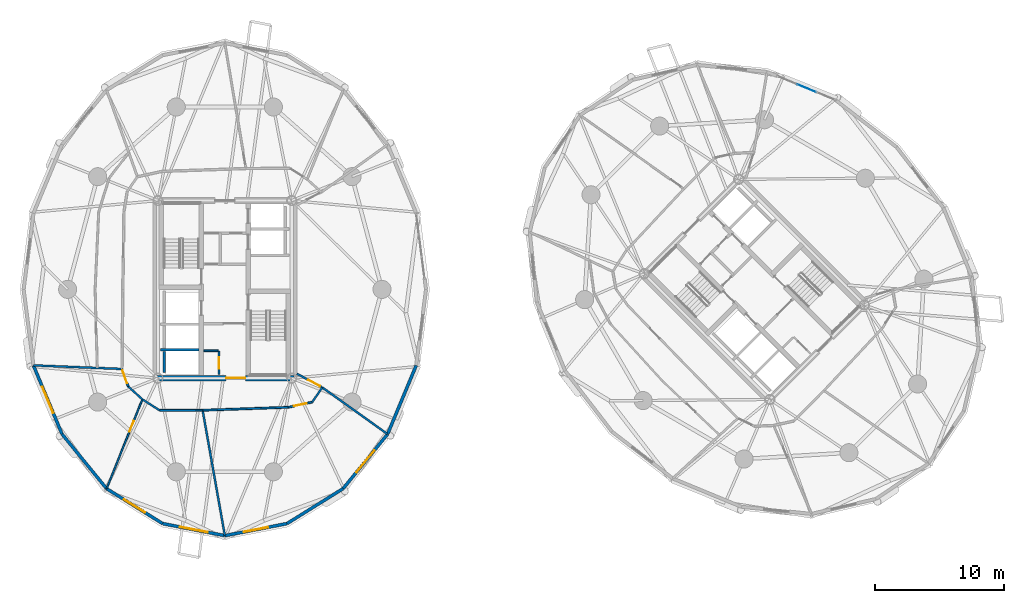
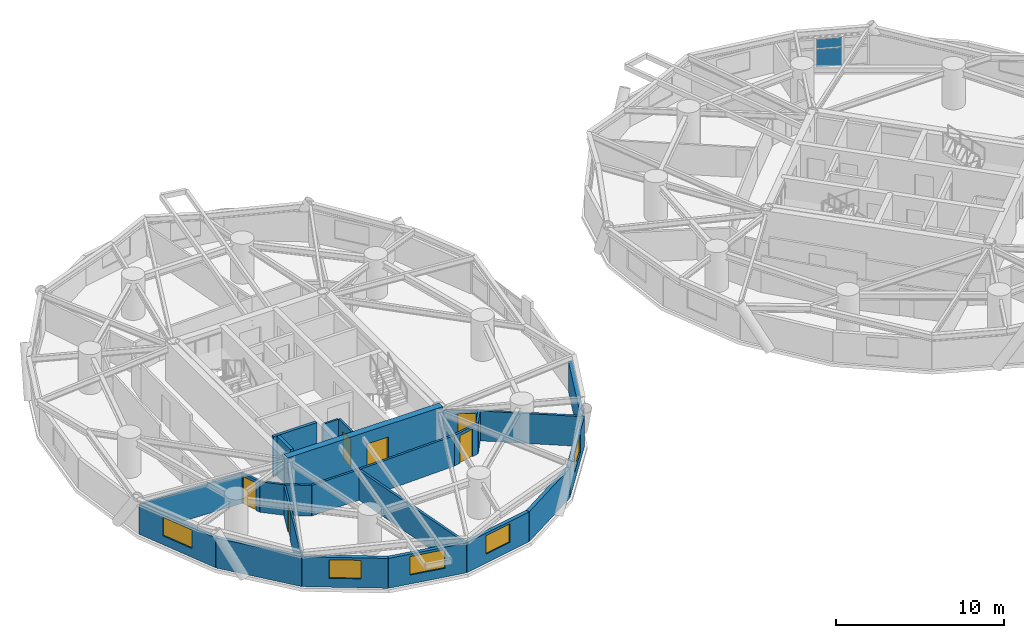
# One storey, part 9 of 17: 25 walls, 6 doors, 5 windows, 2 plates, 11 openings, 1 element without a shape of its own.
"""IFC4 building model written with IfcOpenShell, lengths in metres."""

from ifc_helpers import new_model, si_unit, direction, frame, frame_2d, origin, origin_2d, place, context, subcontext, project, spatial, rectangle, extrude, source, transform, mapped, material, layer, layer_set, type_object, element, fill, aggregate, save


model = new_model("IFC4")

# Units and contexts
model_context = context("Model", 3, precision=1e-05, world=origin(), true_north=direction((0.0, 1.0)))
body_context = subcontext(model_context, "Body", "Model", "MODEL_VIEW")
ifc_project = project(units=[si_unit("LENGTHUNIT", "METRE"), si_unit("AREAUNIT", "SQUARE_METRE"), si_unit("VOLUMEUNIT", "CUBIC_METRE"), si_unit("PLANEANGLEUNIT", "RADIAN"), si_unit("MASSUNIT", "GRAM", prefix="KILO")], contexts=[model_context])

# Site, building, storey
site_placement = place(None, origin())
site = spatial("IfcSite", under=ifc_project, at=site_placement, CompositionType="ELEMENT")
building_placement = place(site_placement, origin())
building = spatial("IfcBuilding", under=site, at=building_placement, Name="Cununo Teusaquillo Station Towers", CompositionType="ELEMENT")
storey_placement = place(building_placement, frame((0.0, 0.0, 116.7099609375)))
storey = spatial("IfcBuildingStorey", under=building, at=storey_placement, Name="L37", CompositionType="ELEMENT", Elevation=116.7099609375)

# Curtain wall, plates
ifc_material_1 = material(Name="Ceramic-fritted dark low-E double glazing", Category="glass")
ifc_layer_1 = layer(ifc_material_1, 0.179931640625)
ifc_layer_set_1 = layer_set([ifc_layer_1], Name="Ceramic-fritted dark low-E double glazing")
curtain_wall_type = type_object("IfcCurtainWallType", Name="CW-SYS-04", PredefinedType="USERDEFINED", material=ifc_layer_set_1)
curtain_wall_placement = place(storey_placement, origin())
curtain_wall = element("IfcCurtainWall", 1, at=curtain_wall_placement, inside=storey, type_object=curtain_wall_type, Name="L37 Tower B Facade Curtain Wall C01", ObjectType="FRITTED GLAZING", PredefinedType="USERDEFINED")
ifc_material_2 = material(Name="Ceramic-fritted dark low-E double glazing", Category="glass")
ifc_layer_2 = layer(ifc_material_2, 0.028076171875)
ifc_layer_set_2 = layer_set([ifc_layer_2], Name="Ceramic-fritted dark low-E double glazing")
plate_type = type_object("IfcPlateType", Name="CWP-FRIT-28", PredefinedType="CURTAIN_PANEL", material=ifc_layer_set_2)
shared_shape_1 = source(origin(), body_context, "Body", "SweptSolid", [
    extrude(rectangle(XDim=1.566162109375, YDim=0.028076171875, at=origin_2d()), origin(), (0.0, 0.0, 1.0), 1.31103515625),
])
plate_1_placement = place(storey_placement, frame((61.542236328125, 40.080322265625, 0.070068359375), z_axis=(0.0, 0.0, 1.0), x_axis=(0.924562443652, -0.381030560176, 0.0)))
plate_1 = element("IfcPlate", 2, at=plate_1_placement, type_object=plate_type, Name="CW-04 panel 2.1", PredefinedType="CURTAIN_PANEL", context=body_context, shape_type="MappedRepresentation", body=[
    mapped(shared_shape_1, transform((0.0, 0.0, 0.0), x_axis=(1.0, 0.0, 0.0), y_axis=(0.0, 1.0, 0.0), z_axis=(0.0, 0.0, 1.0), scale=1.0)),
])
shared_shape_2 = source(origin(), body_context, "Body", "SweptSolid", [
    extrude(rectangle(XDim=1.566162109375, YDim=0.028076171875, at=origin_2d()), origin(), (0.0, 0.0, 1.0), 0.657958984375),
])
plate_2_placement = place(storey_placement, frame((61.542236328125, 40.080322265625, 1.451171875), z_axis=(0.0, 0.0, 1.0), x_axis=(0.924562443652, -0.381030560176, 0.0)))
plate_2 = element("IfcPlate", 3, at=plate_2_placement, type_object=plate_type, Name="CW-04 panel 2.2", PredefinedType="CURTAIN_PANEL", context=body_context, shape_type="MappedRepresentation", body=[
    mapped(shared_shape_2, transform((0.0, 0.0, 0.0), x_axis=(1.0, 0.0, 0.0), y_axis=(0.0, 1.0, 0.0), z_axis=(0.0, 0.0, 1.0), scale=1.0)),
])
aggregate(curtain_wall, [plate_1, plate_2])

# Walls
ifc_material_3 = material(Name="Concrete C50/60", Category="concrete")
ifc_layer_3 = layer(ifc_material_3, 0.199951171875)
ifc_layer_set_3 = layer_set([ifc_layer_3], Name="Concrete C50/60")
wall_type_1 = type_object("IfcWallType", Name="WL-CORE-200", PredefinedType="SHEAR", material=ifc_layer_set_3)
wall_1_placement = place(storey_placement, frame((11.52001953125, 19.824951171875, 0.0), z_axis=(0.0, 0.0, 1.0), x_axis=(1.0, 0.0, 0.0)))
element("IfcWall", 4, at=wall_1_placement, inside=storey, type_object=wall_type_1, Name="L37 Tower A High-Rise Lift Hoistway Divider Shear Wall", PredefinedType="SHEAR", context=body_context, shape_type="SweptSolid", body=[
    extrude(rectangle(XDim=2.969970703125, YDim=0.199951171875, at=frame_2d((1.48486328125, 0.0))), origin(), (0.0, 0.0, 1.0), 2.91015625),
])
wall_2_placement = place(storey_placement, frame((11.820068359375, 18.070068359375, 0.0), z_axis=(0.0, 0.0, 1.0), x_axis=(0.0, 1.0, 0.0)))
element("IfcWall", 5, at=wall_2_placement, inside=storey, type_object=wall_type_1, Name="L37 Tower A High-Rise Lift 1 Shaft Rear Shear Wall", PredefinedType="SHEAR", context=body_context, shape_type="SweptSolid", body=[
    extrude(rectangle(XDim=1.635009765625, YDim=0.199951171875, at=frame_2d((0.8173828125, 0.0))), origin(), (0.0, 0.0, 1.0), 2.91015625),
])

# Wall, opening, door
ifc_material_4 = material(Name="Concrete C60/75", Category="concrete")
ifc_layer_4 = layer(ifc_material_4, 0.449951171875)
ifc_layer_set_4 = layer_set([ifc_layer_4], Name="Concrete C60/75")
wall_type_2 = type_object("IfcWallType", Name="WL-CORE-450", PredefinedType="SHEAR", material=ifc_layer_set_4)
wall_3_placement = place(storey_placement, frame((11.14990234375, 17.625, 0.0), z_axis=(0.0, 0.0, 1.0), x_axis=(1.0, 0.0, 0.0)))
wall_3 = element("IfcWall", 6, at=wall_3_placement, inside=storey, type_object=wall_type_2, Name="L37 Tower A Core Shear Wall S", PredefinedType="SHEAR", context=body_context, shape_type="SweptSolid", body=[
    extrude(rectangle(XDim=10.7001953125, YDim=0.449951171875, at=frame_2d((5.35009765625, 0.0))), origin(), (0.0, 0.0, 1.0), 2.91015625),
])
shared_shape_3 = source(origin(), body_context, "Body", "SweptSolid", [
    extrude(rectangle(XDim=1.5, YDim=2.02001953125, at=frame_2d((0.75, 1.010009765625))), frame((0.0, 0.23486328125, 0.0), z_axis=(0.0, -1.0, 0.0), x_axis=(1.0, 0.0, 0.0)), (0.0, 0.0, 1.0), 0.469970703125),
])
opening_1_placement = place(wall_3_placement, frame((5.449951171875, 0.0, 0.0)))
opening_1 = element("IfcOpeningElement", 7, at=opening_1_placement, cuts=wall_3, Name="Opening D-LB1", PredefinedType="OPENING", context=body_context, shape_type="MappedRepresentation", body=[
    mapped(shared_shape_3, transform((0.0, 0.0, 0.0), x_axis=(1.0, 0.0, 0.0), y_axis=(0.0, 1.0, 0.0), z_axis=(0.0, 0.0, 1.0), scale=1.0)),
])
ifc_material_5 = material(Name="Galvanised fire-rated hollow steel door assembly", Category="steel")
door_type_1 = type_object("IfcDoorType", Name="DR-LOBBY-1500", OperationType="DOUBLE_DOOR_SINGLE_SWING", PredefinedType="DOOR", material=ifc_material_5)
shared_shape_4 = source(origin(), body_context, "Body", "SweptSolid", [
    extrude(rectangle(XDim=1.5, YDim=2.02001953125, at=frame_2d((0.75, 1.010009765625))), frame((0.0, 0.02490234375, 0.0), z_axis=(0.0, -1.0, 0.0), x_axis=(1.0, 0.0, 0.0)), (0.0, 0.0, 1.0), 0.050048828125),
])
door_1_placement = place(opening_1_placement, origin())
door_1 = element("IfcDoor", 8, at=door_1_placement, inside=storey, type_object=door_type_1, Name="L37 Tower A South Core Lift Lobby Door", OperationType="DOUBLE_DOOR_SINGLE_SWING", OverallHeight=2.02001953125, OverallWidth=1.5, PredefinedType="DOOR", context=body_context, shape_type="MappedRepresentation", body=[
    mapped(shared_shape_4, transform((0.0, 0.0, 0.0), x_axis=(1.0, 0.0, 0.0), y_axis=(0.0, 1.0, 0.0), z_axis=(0.0, 0.0, 1.0), scale=1.0)),
])
fill(opening_1, door_1)

# Wall, opening, window
ifc_material_6 = material(Name="Precast concrete C40/50", Category="concrete")
ifc_layer_5 = layer(ifc_material_6, 0.239990234375)
ifc_layer_set_5 = layer_set([ifc_layer_5], Name="Precast concrete C40/50")
wall_type_3 = type_object("IfcWallType", Name="WL-EXT-240", PredefinedType="SOLIDWALL", material=ifc_layer_set_5)
wall_4_placement = place(storey_placement, frame((3.894775390625, 13.291015625, 0.0), z_axis=(0.0, 0.0, 1.0), x_axis=(-0.384344417632, 0.923189779317, 0.0)))
wall_4 = element("IfcWall", 9, at=wall_4_placement, inside=storey, type_object=wall_type_3, Name="L37 Tower A Exterior Facade Wall C11", PredefinedType="SOLIDWALL", context=body_context, shape_type="SweptSolid", body=[
    extrude(rectangle(XDim=5.75830078125, YDim=0.239990234375, at=frame_2d((2.879150390625, 0.0))), origin(), (0.0, 0.0, 1.0), 2.178955078125),
])
shared_shape_5 = source(origin(), body_context, "Body", "SweptSolid", [
    extrude(rectangle(XDim=2.199951171875, YDim=1.35009765625, at=frame_2d((1.10009765625, 0.675048828125))), frame((0.0, 0.1298828125, 0.0), z_axis=(0.0, -1.0, 0.0), x_axis=(1.0, 0.0, 0.0)), (0.0, 0.0, 1.0), 0.260009765625),
])
opening_2_placement = place(wall_4_placement, frame((1.779052734375, 0.0, 0.64990234375)))
opening_2 = element("IfcOpeningElement", 10, at=opening_2_placement, cuts=wall_4, Name="Opening WN-01", PredefinedType="OPENING", context=body_context, shape_type="MappedRepresentation", body=[
    mapped(shared_shape_5, transform((0.0, 0.0, 0.0), x_axis=(1.0, 0.0, 0.0), y_axis=(0.0, 1.0, 0.0), z_axis=(0.0, 0.0, 1.0), scale=1.0)),
])
ifc_material_7 = material(Name="Ceramic-fritted dark low-E double glazing", Category="glass")
window_type_1 = type_object("IfcWindowType", Name="WIN-FRIT-2200", PartitioningType="DOUBLE_PANEL_VERTICAL", PredefinedType="WINDOW", material=ifc_material_7)
shared_shape_6 = source(origin(), body_context, "Body", "SweptSolid", [
    extrude(rectangle(XDim=2.199951171875, YDim=1.35009765625, at=frame_2d((1.10009765625, 0.675048828125))), frame((0.0, 0.030029296875, 0.0), z_axis=(0.0, -1.0, 0.0), x_axis=(1.0, 0.0, 0.0)), (0.0, 0.0, 1.0), 0.06005859375),
])
window_1_placement = place(opening_2_placement, origin())
window_1 = element("IfcWindow", 11, at=window_1_placement, inside=storey, type_object=window_type_1, Name="L37 Tower A Facade Window C11", OverallHeight=1.35009765625, OverallWidth=2.199951171875, PartitioningType="DOUBLE_PANEL_VERTICAL", PredefinedType="WINDOW", context=body_context, shape_type="MappedRepresentation", body=[
    mapped(shared_shape_6, transform((0.0, 0.0, 0.0), x_axis=(1.0, 0.0, 0.0), y_axis=(0.0, 1.0, 0.0), z_axis=(0.0, 0.0, 1.0), scale=1.0)),
])
fill(opening_2, window_1)

# Wall
wall_5_placement = place(storey_placement, frame((7.341796875, 9.072021484375, 0.0), z_axis=(0.0, 0.0, 1.0), x_axis=(-0.632700781152, 0.77439635945, 0.0)))
element("IfcWall", 12, at=wall_5_placement, inside=storey, type_object=wall_type_3, Name="L37 Tower A Exterior Facade Wall C12", PredefinedType="SOLIDWALL", context=body_context, shape_type="SweptSolid", body=[
    extrude(rectangle(XDim=5.447998046875, YDim=0.239990234375, at=frame_2d((2.72412109375, 0.0))), origin(), (0.0, 0.0, 1.0), 2.178955078125),
])

# Wall, opening, window
wall_6_placement = place(storey_placement, frame((11.685302734375, 6.36328125, 0.0), z_axis=(0.0, 0.0, 1.0), x_axis=(-0.848520380187, 0.529162701263, 0.0)))
wall_6 = element("IfcWall", 13, at=wall_6_placement, inside=storey, type_object=wall_type_3, Name="L37 Tower A Exterior Facade Wall C13", PredefinedType="SOLIDWALL", context=body_context, shape_type="SweptSolid", body=[
    extrude(rectangle(XDim=5.118896484375, YDim=0.239990234375, at=frame_2d((2.5595703125, 0.0))), origin(), (0.0, 0.0, 1.0), 2.178955078125),
])
shared_shape_7 = source(origin(), body_context, "Body", "SweptSolid", [
    extrude(rectangle(XDim=1.89990234375, YDim=1.35009765625, at=frame_2d((0.949951171875, 0.675048828125))), frame((0.0, 0.1298828125, 0.0), z_axis=(0.0, -1.0, 0.0), x_axis=(1.0, 0.0, 0.0)), (0.0, 0.0, 1.0), 0.260009765625),
])
opening_3_placement = place(wall_6_placement, frame((1.60888671875, 0.0, 0.64990234375)))
opening_3 = element("IfcOpeningElement", 14, at=opening_3_placement, cuts=wall_6, Name="Opening WN-02", PredefinedType="OPENING", context=body_context, shape_type="MappedRepresentation", body=[
    mapped(shared_shape_7, transform((0.0, 0.0, 0.0), x_axis=(1.0, 0.0, 0.0), y_axis=(0.0, 1.0, 0.0), z_axis=(0.0, 0.0, 1.0), scale=1.0)),
])
ifc_material_8 = material(Name="Operable acoustic tinted low-E double glazing", Category="glass")
window_type_2 = type_object("IfcWindowType", Name="WIN-OPER-1900", PartitioningType="DOUBLE_PANEL_VERTICAL", PredefinedType="WINDOW", material=ifc_material_8)
shared_shape_8 = source(origin(), body_context, "Body", "SweptSolid", [
    extrude(rectangle(XDim=1.89990234375, YDim=1.35009765625, at=frame_2d((0.949951171875, 0.675048828125))), frame((0.0, 0.030029296875, 0.0), z_axis=(0.0, -1.0, 0.0), x_axis=(1.0, 0.0, 0.0)), (0.0, 0.0, 1.0), 0.06005859375),
])
window_2_placement = place(opening_3_placement, origin())
window_2 = element("IfcWindow", 15, at=window_2_placement, inside=storey, type_object=window_type_2, Name="L37 Tower A Facade Window C13", OverallHeight=1.35009765625, OverallWidth=1.89990234375, PartitioningType="DOUBLE_PANEL_VERTICAL", PredefinedType="WINDOW", context=body_context, shape_type="MappedRepresentation", body=[
    mapped(shared_shape_8, transform((0.0, 0.0, 0.0), x_axis=(1.0, 0.0, 0.0), y_axis=(0.0, 1.0, 0.0), z_axis=(0.0, 0.0, 1.0), scale=1.0)),
])
fill(opening_3, window_2)

wall_7_placement = place(storey_placement, frame((16.5, 5.429931640625, 0.0), z_axis=(0.0, 0.0, 1.0), x_axis=(-0.981723785992, 0.190311344954, 0.0)))
wall_7 = element("IfcWall", 16, at=wall_7_placement, inside=storey, type_object=wall_type_3, Name="L37 Tower A Exterior Facade Wall C14", PredefinedType="SOLIDWALL", context=body_context, shape_type="SweptSolid", body=[
    extrude(rectangle(XDim=4.904296875, YDim=0.239990234375, at=frame_2d((2.4521484375, 0.0))), origin(), (0.0, 0.0, 1.0), 2.178955078125),
])
opening_4_placement = place(wall_7_placement, frame((1.35205078125, 0.0, 0.64990234375)))
opening_4 = element("IfcOpeningElement", 17, at=opening_4_placement, cuts=wall_7, Name="Opening WN-01", PredefinedType="OPENING", context=body_context, shape_type="MappedRepresentation", body=[
    mapped(shared_shape_5, transform((0.0, 0.0, 0.0), x_axis=(1.0, 0.0, 0.0), y_axis=(0.0, 1.0, 0.0), z_axis=(0.0, 0.0, 1.0), scale=1.0)),
])
window_3_placement = place(opening_4_placement, origin())
window_3 = element("IfcWindow", 18, at=window_3_placement, inside=storey, type_object=window_type_1, Name="L37 Tower A Facade Window C14", OverallHeight=1.35009765625, OverallWidth=2.199951171875, PartitioningType="DOUBLE_PANEL_VERTICAL", PredefinedType="WINDOW", context=body_context, shape_type="MappedRepresentation", body=[
    mapped(shared_shape_6, transform((0.0, 0.0, 0.0), x_axis=(1.0, 0.0, 0.0), y_axis=(0.0, 1.0, 0.0), z_axis=(0.0, 0.0, 1.0), scale=1.0)),
])
fill(opening_4, window_3)

wall_8_placement = place(storey_placement, frame((21.314697265625, 6.36328125, 0.0), z_axis=(0.0, 0.0, 1.0), x_axis=(-0.981723785992, -0.190311344954, 0.0)))
wall_8 = element("IfcWall", 19, at=wall_8_placement, inside=storey, type_object=wall_type_3, Name="L37 Tower A Exterior Facade Wall C15", PredefinedType="SOLIDWALL", context=body_context, shape_type="SweptSolid", body=[
    extrude(rectangle(XDim=4.904296875, YDim=0.239990234375, at=frame_2d((2.4521484375, 0.0))), origin(), (0.0, 0.0, 1.0), 2.178955078125),
])
opening_5_placement = place(wall_8_placement, frame((1.501953125, 0.0, 0.64990234375)))
opening_5 = element("IfcOpeningElement", 20, at=opening_5_placement, cuts=wall_8, Name="Opening WN-02", PredefinedType="OPENING", context=body_context, shape_type="MappedRepresentation", body=[
    mapped(shared_shape_7, transform((0.0, 0.0, 0.0), x_axis=(1.0, 0.0, 0.0), y_axis=(0.0, 1.0, 0.0), z_axis=(0.0, 0.0, 1.0), scale=1.0)),
])
window_4_placement = place(opening_5_placement, origin())
window_4 = element("IfcWindow", 21, at=window_4_placement, inside=storey, type_object=window_type_2, Name="L37 Tower A Facade Window C15", OverallHeight=1.35009765625, OverallWidth=1.89990234375, PartitioningType="DOUBLE_PANEL_VERTICAL", PredefinedType="WINDOW", context=body_context, shape_type="MappedRepresentation", body=[
    mapped(shared_shape_8, transform((0.0, 0.0, 0.0), x_axis=(1.0, 0.0, 0.0), y_axis=(0.0, 1.0, 0.0), z_axis=(0.0, 0.0, 1.0), scale=1.0)),
])
fill(opening_5, window_4)

# Wall
wall_9_placement = place(storey_placement, frame((25.658203125, 9.072021484375, 0.0), z_axis=(0.0, 0.0, 1.0), x_axis=(-0.848520380187, -0.529162701263, 0.0)))
element("IfcWall", 22, at=wall_9_placement, inside=storey, type_object=wall_type_3, Name="L37 Tower A Exterior Facade Wall C16", PredefinedType="SOLIDWALL", context=body_context, shape_type="SweptSolid", body=[
    extrude(rectangle(XDim=5.118896484375, YDim=0.239990234375, at=frame_2d((2.5595703125, 0.0))), origin(), (0.0, 0.0, 1.0), 2.178955078125),
])

# Wall, opening, window
wall_10_placement = place(storey_placement, frame((29.105224609375, 13.291015625, 0.0), z_axis=(0.0, 0.0, 1.0), x_axis=(-0.632700781152, -0.77439635945, 0.0)))
wall_10 = element("IfcWall", 23, at=wall_10_placement, inside=storey, type_object=wall_type_3, Name="L37 Tower A Exterior Facade Wall C17", PredefinedType="SOLIDWALL", context=body_context, shape_type="SweptSolid", body=[
    extrude(rectangle(XDim=5.447998046875, YDim=0.239990234375, at=frame_2d((2.72412109375, 0.0))), origin(), (0.0, 0.0, 1.0), 2.178955078125),
])
opening_6_placement = place(wall_10_placement, frame((1.6240234375, 0.0, 0.64990234375)))
opening_6 = element("IfcOpeningElement", 24, at=opening_6_placement, cuts=wall_10, Name="Opening WN-01", PredefinedType="OPENING", context=body_context, shape_type="MappedRepresentation", body=[
    mapped(shared_shape_5, transform((0.0, 0.0, 0.0), x_axis=(1.0, 0.0, 0.0), y_axis=(0.0, 1.0, 0.0), z_axis=(0.0, 0.0, 1.0), scale=1.0)),
])
window_5_placement = place(opening_6_placement, origin())
window_5 = element("IfcWindow", 25, at=window_5_placement, inside=storey, type_object=window_type_1, Name="L37 Tower A Facade Window C17", OverallHeight=1.35009765625, OverallWidth=2.199951171875, PartitioningType="DOUBLE_PANEL_VERTICAL", PredefinedType="WINDOW", context=body_context, shape_type="MappedRepresentation", body=[
    mapped(shared_shape_6, transform((0.0, 0.0, 0.0), x_axis=(1.0, 0.0, 0.0), y_axis=(0.0, 1.0, 0.0), z_axis=(0.0, 0.0, 1.0), scale=1.0)),
])
fill(opening_6, window_5)

# Wall
wall_11_placement = place(storey_placement, frame((31.318359375, 18.60693359375, 0.0), z_axis=(0.0, 0.0, 1.0), x_axis=(-0.384344417632, -0.923189779317, 0.0)))
element("IfcWall", 26, at=wall_11_placement, inside=storey, type_object=wall_type_3, Name="L37 Tower A Exterior Facade Wall C18", PredefinedType="SOLIDWALL", context=body_context, shape_type="SweptSolid", body=[
    extrude(rectangle(XDim=5.75830078125, YDim=0.239990234375, at=frame_2d((2.879150390625, 0.0))), origin(), (0.0, 0.0, 1.0), 2.178955078125),
])

# Wall, opening, door
ifc_material_9 = material(Name="Fire-rated gypsum plasterboard partition assembly", Category="gypsum")
ifc_layer_6 = layer(ifc_material_9, 0.125)
ifc_layer_set_6 = layer_set([ifc_layer_6], Name="Fire-rated gypsum plasterboard partition assembly")
wall_type_4 = type_object("IfcWallType", Name="WL-PART-125", PredefinedType="PARTITIONING", material=ifc_layer_set_6)
wall_12_placement = place(storey_placement, frame((16.050048828125, 17.919921875, 0.0), z_axis=(0.0, 0.0, 1.0), x_axis=(0.0, 1.0, 0.0)))
wall_12 = element("IfcWall", 27, at=wall_12_placement, inside=storey, type_object=wall_type_4, Name="L37 Tower A South-West Compact Store East Wall", PredefinedType="PARTITIONING", context=body_context, shape_type="SweptSolid", body=[
    extrude(rectangle(XDim=1.800048828125, YDim=0.125, at=frame_2d((0.89990234375, 0.0))), origin(), (0.0, 0.0, 1.0), 2.655029296875),
])
shared_shape_9 = source(origin(), body_context, "Body", "SweptSolid", [
    extrude(rectangle(XDim=0.89990234375, YDim=2.0048828125, at=frame_2d((0.449951171875, 1.00244140625))), frame((0.0, 0.072509765625, 0.0), z_axis=(0.0, -1.0, 0.0), x_axis=(1.0, 0.0, 0.0)), (0.0, 0.0, 1.0), 0.14501953125),
])
opening_7_placement = place(wall_12_placement, frame((0.419921875, 0.0, 0.0)))
opening_7 = element("IfcOpeningElement", 28, at=opening_7_placement, cuts=wall_12, Name="Opening D-SR1", PredefinedType="OPENING", context=body_context, shape_type="MappedRepresentation", body=[
    mapped(shared_shape_9, transform((0.0, 0.0, 0.0), x_axis=(1.0, 0.0, 0.0), y_axis=(0.0, 1.0, 0.0), z_axis=(0.0, 0.0, 1.0), scale=1.0)),
])
ifc_material_10 = material(Name="Galvanised fire-rated hollow steel door assembly", Category="steel")
door_type_2 = type_object("IfcDoorType", Name="DR-STORE-900", OperationType="NOTDEFINED", PredefinedType="DOOR", material=ifc_material_10)
shared_shape_10 = source(origin(), body_context, "Body", "SweptSolid", [
    extrude(rectangle(XDim=0.89990234375, YDim=2.0048828125, at=frame_2d((0.449951171875, 1.00244140625))), frame((0.0, 0.02490234375, 0.0), z_axis=(0.0, -1.0, 0.0), x_axis=(1.0, 0.0, 0.0)), (0.0, 0.0, 1.0), 0.050048828125),
])
door_2_placement = place(opening_7_placement, origin())
door_2 = element("IfcDoor", 29, at=door_2_placement, inside=storey, type_object=door_type_2, Name="L37 Tower A Core Electrical & Comms Store Door", OperationType="SINGLE_SWING_RIGHT", OverallHeight=2.0048828125, OverallWidth=0.89990234375, PredefinedType="DOOR", context=body_context, shape_type="MappedRepresentation", body=[
    mapped(shared_shape_10, transform((0.0, 0.0, 0.0), x_axis=(1.0, 0.0, 0.0), y_axis=(0.0, 1.0, 0.0), z_axis=(0.0, 0.0, 1.0), scale=1.0)),
])
fill(opening_7, door_2)

# Wall
wall_13_placement = place(storey_placement, frame((14.8798828125, 19.75, 0.0), z_axis=(0.0, 0.0, 1.0), x_axis=(1.0, 0.0, 0.0)))
element("IfcWall", 30, at=wall_13_placement, inside=storey, type_object=wall_type_4, Name="L37 Tower A South-West Compact Store North Wall", PredefinedType="PARTITIONING", context=body_context, shape_type="SweptSolid", body=[
    extrude(rectangle(XDim=1.10009765625, YDim=0.125, at=frame_2d((0.550048828125, 0.0))), origin(), (0.0, 0.0, 1.0), 2.655029296875),
])

# Wall, opening, door
wall_14_placement = place(storey_placement, frame((10.115478515625, 15.98291015625, 0.0), z_axis=(0.0, 0.0, 1.0), x_axis=(-0.371861013147, -0.928288417951, 0.0)))
wall_14 = element("IfcWall", 31, at=wall_14_placement, inside=storey, type_object=wall_type_4, Name="L37 Tower A Treasury & Corporate Finance Practice Suite Subdividing Wall", PredefinedType="PARTITIONING", context=body_context, shape_type="SweptSolid", body=[
    extrude(rectangle(XDim=7.427490234375, YDim=0.125, at=frame_2d((3.7138671875, 0.0))), origin(), (0.0, 0.0, 1.0), 2.178955078125),
])
opening_8_placement = place(wall_14_placement, frame((1.800048828125, 0.0, 0.0)))
opening_8 = element("IfcOpeningElement", 32, at=opening_8_placement, cuts=wall_14, Name="Opening D-IN1", PredefinedType="OPENING", context=body_context, shape_type="MappedRepresentation", body=[
    mapped(shared_shape_9, transform((0.0, 0.0, 0.0), x_axis=(1.0, 0.0, 0.0), y_axis=(0.0, 1.0, 0.0), z_axis=(0.0, 0.0, 1.0), scale=1.0)),
])
ifc_material_11 = material(Name="Acoustic solid-core hardwood leaf assembly", Category="wood")
door_type_3 = type_object("IfcDoorType", Name="DR-INT-900", OperationType="NOTDEFINED", PredefinedType="DOOR", material=ifc_material_11)
door_3_placement = place(opening_8_placement, origin())
door_3 = element("IfcDoor", 33, at=door_3_placement, inside=storey, type_object=door_type_3, Name="L37 Tower A Treasury & Corporate Finance Practice Suite Connecting Door", OperationType="SINGLE_SWING_LEFT", OverallHeight=2.0048828125, OverallWidth=0.89990234375, PredefinedType="DOOR", context=body_context, shape_type="MappedRepresentation", body=[
    mapped(shared_shape_10, transform((0.0, 0.0, 0.0), x_axis=(1.0, 0.0, 0.0), y_axis=(0.0, 1.0, 0.0), z_axis=(0.0, 0.0, 1.0), scale=1.0)),
])
fill(opening_8, door_3)

ifc_material_12 = material(Name="Fire-rated gypsum plasterboard partition assembly", Category="gypsum")
ifc_layer_7 = layer(ifc_material_12, 0.14990234375)
ifc_layer_set_7 = layer_set([ifc_layer_7], Name="Fire-rated gypsum plasterboard partition assembly")
wall_type_5 = type_object("IfcWallType", Name="WL-PART-150", PredefinedType="PARTITIONING", material=ifc_layer_set_7)
wall_15_placement = place(storey_placement, frame((8.538330078125, 18.338134765625, 0.0), z_axis=(0.0, 0.0, 1.0), x_axis=(0.331358150167, -0.94350504838, 0.0)))
wall_15 = element("IfcWall", 34, at=wall_15_placement, inside=storey, type_object=wall_type_5, Name="L37 Tower A Corridor Ring Wall C11", PredefinedType="PARTITIONING", context=body_context, shape_type="SweptSolid", body=[
    extrude(rectangle(XDim=1.42431640625, YDim=0.14990234375, at=frame_2d((0.712158203125, 0.0))), origin(), (0.0, 0.0, 1.0), 2.22509765625),
])
shared_shape_11 = source(origin(), body_context, "Body", "SweptSolid", [
    extrude(rectangle(XDim=1.050048828125, YDim=2.014892578125, at=frame_2d((0.52490234375, 1.00732421875))), frame((0.0, 0.0849609375, 0.0), z_axis=(0.0, -1.0, 0.0), x_axis=(1.0, 0.0, 0.0)), (0.0, 0.0, 1.0), 0.169921875),
])
opening_9_placement = place(wall_15_placement, frame((0.1201171875, 0.0, 0.0)))
opening_9 = element("IfcOpeningElement", 35, at=opening_9_placement, cuts=wall_15, Name="Opening D-SU1", PredefinedType="OPENING", context=body_context, shape_type="MappedRepresentation", body=[
    mapped(shared_shape_11, transform((0.0, 0.0, 0.0), x_axis=(1.0, 0.0, 0.0), y_axis=(0.0, 1.0, 0.0), z_axis=(0.0, 0.0, 1.0), scale=1.0)),
])
ifc_material_13 = material(Name="Acoustic solid-core hardwood leaf assembly", Category="wood")
door_type_4 = type_object("IfcDoorType", Name="DR-SUITE-1050", OperationType="NOTDEFINED", PredefinedType="DOOR", material=ifc_material_13)
shared_shape_12 = source(origin(), body_context, "Body", "SweptSolid", [
    extrude(rectangle(XDim=1.050048828125, YDim=2.014892578125, at=frame_2d((0.52490234375, 1.00732421875))), frame((0.0, 0.02490234375, 0.0), z_axis=(0.0, -1.0, 0.0), x_axis=(1.0, 0.0, 0.0)), (0.0, 0.0, 1.0), 0.050048828125),
])
door_4_placement = place(opening_9_placement, origin())
door_4 = element("IfcDoor", 36, at=door_4_placement, inside=storey, type_object=door_type_4, Name="L37 Tower A Treasury & Corporate Finance Practice Entrance Door", OperationType="SINGLE_SWING_RIGHT", OverallHeight=2.014892578125, OverallWidth=1.050048828125, PredefinedType="DOOR", context=body_context, shape_type="MappedRepresentation", body=[
    mapped(shared_shape_12, transform((0.0, 0.0, 0.0), x_axis=(1.0, 0.0, 0.0), y_axis=(0.0, 1.0, 0.0), z_axis=(0.0, 0.0, 1.0), scale=1.0)),
])
fill(opening_9, door_4)

# Walls
wall_16_placement = place(storey_placement, frame((9.01025390625, 16.994384765625, 0.0), z_axis=(0.0, 0.0, 1.0), x_axis=(0.737701798986, -0.67512669609, 0.0)))
element("IfcWall", 37, at=wall_16_placement, inside=storey, type_object=wall_type_5, Name="L37 Tower A Corridor Ring Wall C12", PredefinedType="PARTITIONING", context=body_context, shape_type="SweptSolid", body=[
    extrude(rectangle(XDim=1.498291015625, YDim=0.14990234375, at=frame_2d((0.7490234375, 0.0))), origin(), (0.0, 0.0, 1.0), 2.22509765625),
])
wall_17_placement = place(storey_placement, frame((10.115478515625, 15.98291015625, 0.0), z_axis=(0.0, 0.0, 1.0), x_axis=(0.843995849351, -0.536349705209, 0.0)))
element("IfcWall", 38, at=wall_17_placement, inside=storey, type_object=wall_type_5, Name="L37 Tower A Corridor Ring Wall C13", PredefinedType="PARTITIONING", context=body_context, shape_type="SweptSolid", body=[
    extrude(rectangle(XDim=1.5927734375, YDim=0.14990234375, at=frame_2d((0.79638671875, 0.0))), origin(), (0.0, 0.0, 1.0), 2.22509765625),
])
wall_18_placement = place(storey_placement, frame((11.459716796875, 15.128662109375, 0.0), z_axis=(0.0, 0.0, 1.0), x_axis=(0.999993513287, 0.003601858435, 0.0)))
element("IfcWall", 39, at=wall_18_placement, inside=storey, type_object=wall_type_5, Name="L37 Tower A Corridor Ring Wall C14", PredefinedType="PARTITIONING", context=body_context, shape_type="SweptSolid", body=[
    extrude(rectangle(XDim=3.3212890625, YDim=0.14990234375, at=frame_2d((1.66064453125, 0.0))), origin(), (0.0, 0.0, 1.0), 2.22509765625),
])
wall_19_placement = place(storey_placement, frame((14.781005859375, 15.140625, 0.0), z_axis=(0.0, 0.0, 1.0), x_axis=(0.999407918707, 0.034406569513, 0.0)))
element("IfcWall", 40, at=wall_19_placement, inside=storey, type_object=wall_type_5, Name="L37 Tower A Corridor Ring Wall C15", PredefinedType="PARTITIONING", context=body_context, shape_type="SweptSolid", body=[
    extrude(rectangle(XDim=6.6416015625, YDim=0.14990234375, at=frame_2d((3.32080078125, 0.0))), origin(), (0.0, 0.0, 1.0), 2.22509765625),
])

# Wall, opening, door
wall_20_placement = place(storey_placement, frame((21.418701171875, 15.369140625, 0.0), z_axis=(0.0, 0.0, 1.0), x_axis=(0.977192701953, 0.212354475464, 0.0)))
wall_20 = element("IfcWall", 41, at=wall_20_placement, inside=storey, type_object=wall_type_5, Name="L37 Tower A Corridor Ring Wall C16", PredefinedType="PARTITIONING", context=body_context, shape_type="SweptSolid", body=[
    extrude(rectangle(XDim=1.8876953125, YDim=0.14990234375, at=frame_2d((0.94384765625, 0.0))), origin(), (0.0, 0.0, 1.0), 2.22509765625),
])
shared_shape_13 = source(origin(), body_context, "Body", "SweptSolid", [
    extrude(rectangle(XDim=1.0, YDim=2.014892578125, at=frame_2d((0.5, 1.00732421875))), frame((0.0, 0.0849609375, 0.0), z_axis=(0.0, -1.0, 0.0), x_axis=(1.0, 0.0, 0.0)), (0.0, 0.0, 1.0), 0.169921875),
])
opening_10_placement = place(wall_20_placement, frame((0.44384765625, 0.0, 0.0)))
opening_10 = element("IfcOpeningElement", 42, at=opening_10_placement, cuts=wall_20, Name="Opening D-AC1", PredefinedType="OPENING", context=body_context, shape_type="MappedRepresentation", body=[
    mapped(shared_shape_13, transform((0.0, 0.0, 0.0), x_axis=(1.0, 0.0, 0.0), y_axis=(0.0, 1.0, 0.0), z_axis=(0.0, 0.0, 1.0), scale=1.0)),
])
ifc_material_14 = material(Name="Acoustic solid-core hardwood leaf assembly", Category="wood")
door_type_5 = type_object("IfcDoorType", Name="DR-ACC-1000", OperationType="NOTDEFINED", PredefinedType="DOOR", material=ifc_material_14)
shared_shape_14 = source(origin(), body_context, "Body", "SweptSolid", [
    extrude(rectangle(XDim=1.0, YDim=2.014892578125, at=frame_2d((0.5, 1.00732421875))), frame((0.0, 0.02490234375, 0.0), z_axis=(0.0, -1.0, 0.0), x_axis=(1.0, 0.0, 0.0)), (0.0, 0.0, 1.0), 0.050048828125),
])
door_5_placement = place(opening_10_placement, origin())
door_5 = element("IfcDoor", 43, at=door_5_placement, inside=storey, type_object=door_type_5, Name="L37 Tower A Public Accessible Restroom WC Entrance Door", OperationType="SINGLE_SWING_RIGHT", OverallHeight=2.014892578125, OverallWidth=1.0, PredefinedType="DOOR", context=body_context, shape_type="MappedRepresentation", body=[
    mapped(shared_shape_14, transform((0.0, 0.0, 0.0), x_axis=(1.0, 0.0, 0.0), y_axis=(0.0, 1.0, 0.0), z_axis=(0.0, 0.0, 1.0), scale=1.0)),
])
fill(opening_10, door_5)

# Walls
wall_21_placement = place(storey_placement, frame((23.263427734375, 15.77001953125, 0.0), z_axis=(0.0, 0.0, 1.0), x_axis=(0.570743456919, 0.821128434768, 0.0)))
element("IfcWall", 44, at=wall_21_placement, inside=storey, type_object=wall_type_5, Name="L37 Tower A Corridor Ring Wall C17", PredefinedType="PARTITIONING", context=body_context, shape_type="SweptSolid", body=[
    extrude(rectangle(XDim=1.381591796875, YDim=0.14990234375, at=frame_2d((0.69091796875, 0.0))), origin(), (0.0, 0.0, 1.0), 2.22509765625),
])
ifc_material_15 = material(Name="Fire-rated gypsum plasterboard partition assembly", Category="gypsum")
ifc_layer_8 = layer(ifc_material_15, 0.159912109375)
ifc_layer_set_8 = layer_set([ifc_layer_8], Name="Fire-rated gypsum plasterboard partition assembly")
wall_type_6 = type_object("IfcWallType", Name="WL-PART-160", PredefinedType="PARTITIONING", material=ifc_layer_set_8)
wall_22_placement = place(storey_placement, frame((8.538330078125, 18.338134765625, 0.0), z_axis=(0.0, 0.0, 1.0), x_axis=(-0.999191355531, 0.04020740021, 0.0)))
element("IfcWall", 45, at=wall_22_placement, inside=storey, type_object=wall_type_6, Name="L37 Tower A Radial Suite Partition R04", PredefinedType="PARTITIONING", context=body_context, shape_type="SweptSolid", body=[
    extrude(rectangle(XDim=6.84326171875, YDim=0.159912109375, at=frame_2d((3.421630859375, 0.0))), origin(), (0.0, 0.0, 1.0), 2.178955078125),
])
wall_23_placement = place(storey_placement, frame((14.781005859375, 15.140625, 0.0), z_axis=(0.0, 0.0, 1.0), x_axis=(0.174659805548, -0.984628839881, 0.0)))
element("IfcWall", 46, at=wall_23_placement, inside=storey, type_object=wall_type_6, Name="L37 Tower A Radial Suite Partition R05", PredefinedType="PARTITIONING", context=body_context, shape_type="SweptSolid", body=[
    extrude(rectangle(XDim=9.842041015625, YDim=0.159912109375, at=frame_2d((4.9208984375, 0.0))), origin(), (0.0, 0.0, 1.0), 2.178955078125),
])
wall_24_placement = place(storey_placement, frame((24.052001953125, 16.904541015625, 0.0), z_axis=(0.0, 0.0, 1.0), x_axis=(0.813437670746, -0.581652091727, 0.0)))
element("IfcWall", 47, at=wall_24_placement, inside=storey, type_object=wall_type_6, Name="L37 Tower A Radial Suite Partition R06", PredefinedType="PARTITIONING", context=body_context, shape_type="SweptSolid", body=[
    extrude(rectangle(XDim=6.1923828125, YDim=0.159912109375, at=frame_2d((3.09619140625, 0.0))), origin(), (0.0, 0.0, 1.0), 2.178955078125),
])

# Wall, opening, door
wall_25_placement = place(storey_placement, frame((22.074951171875, 17.97509765625, 0.0), z_axis=(0.0, 0.0, 1.0), x_axis=(0.879356383302, -0.476164206073, 0.0)))
wall_25 = element("IfcWall", 48, at=wall_25_placement, inside=storey, type_object=wall_type_6, Name="L37 Tower A East Salon Corridor Portal Wall SE", PredefinedType="PARTITIONING", context=body_context, shape_type="SweptSolid", body=[
    extrude(rectangle(XDim=2.248291015625, YDim=0.159912109375, at=frame_2d((1.1240234375, 0.0))), origin(), (0.0, 0.0, 1.0), 2.22509765625),
])
shared_shape_15 = source(origin(), body_context, "Body", "SweptSolid", [
    extrude(rectangle(XDim=1.050048828125, YDim=2.014892578125, at=frame_2d((0.52490234375, 1.00732421875))), frame((0.0, 0.08984375, 0.0), z_axis=(0.0, -1.0, 0.0), x_axis=(1.0, 0.0, 0.0)), (0.0, 0.0, 1.0), 0.179931640625),
])
opening_11_placement = place(wall_25_placement, frame((0.998291015625, 0.0, 0.0)))
opening_11 = element("IfcOpeningElement", 49, at=opening_11_placement, cuts=wall_25, Name="Opening D-SU1", PredefinedType="OPENING", context=body_context, shape_type="MappedRepresentation", body=[
    mapped(shared_shape_15, transform((0.0, 0.0, 0.0), x_axis=(1.0, 0.0, 0.0), y_axis=(0.0, 1.0, 0.0), z_axis=(0.0, 0.0, 1.0), scale=1.0)),
])
door_6_placement = place(opening_11_placement, origin())
door_6 = element("IfcDoor", 50, at=door_6_placement, inside=storey, type_object=door_type_4, Name="L37 Tower A East Panorama Sky Salon Door SE", OperationType="SINGLE_SWING_LEFT", OverallHeight=2.014892578125, OverallWidth=1.050048828125, PredefinedType="DOOR", context=body_context, shape_type="MappedRepresentation", body=[
    mapped(shared_shape_12, transform((0.0, 0.0, 0.0), x_axis=(1.0, 0.0, 0.0), y_axis=(0.0, 1.0, 0.0), z_axis=(0.0, 0.0, 1.0), scale=1.0)),
])
fill(opening_11, door_6)

save(model, "model.ifc")
